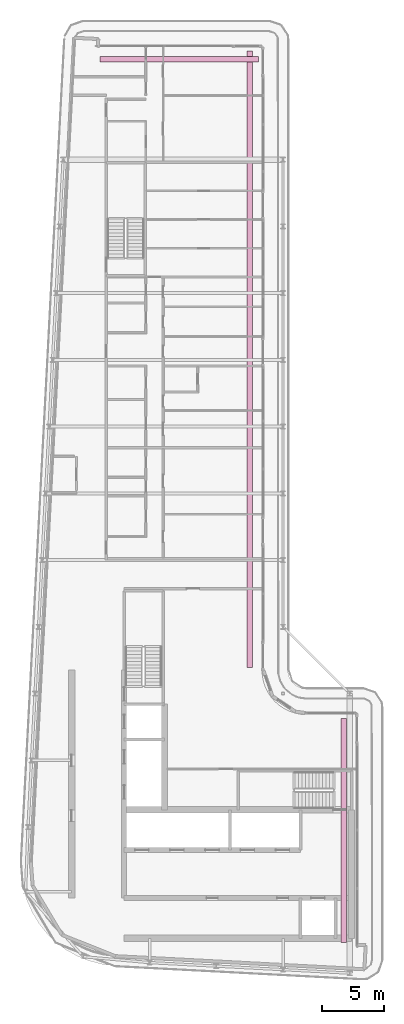
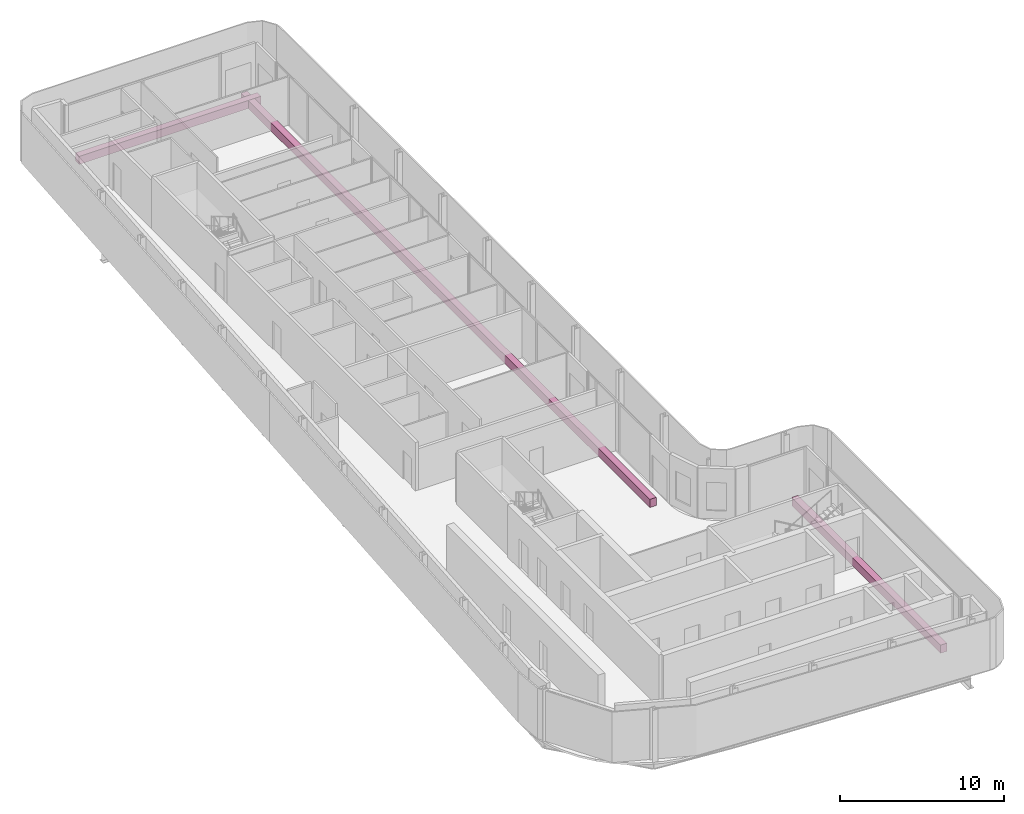
# One storey, part 18 of 18: 3 furniture elements.
"""IFC4 building model written with IfcOpenShell, lengths in metres."""

import ifcopenshell
import ifcopenshell.guid

model = None  # the IFC model being written
_history = None  # IfcOwnerHistory: only IFC2X3 demands one
_inside = {}  # id of a spatial element -> (the spatial element, [elements in it])
_under = {}  # id of a project, library or spatial element -> (it, [spatial elements below it])
_declared = {}  # id of a project -> (the project, [libraries it declares])
_typed = {}  # id of a type object -> (the type object, [elements of that type])
_made_of = {}  # id of a material, layer set ... -> (it, [elements and type objects made of it])


def new_model(schema):
    """Start an empty IFC model of exactly this schema.

    Asked for "IFC4X3", IfcOpenShell would pick the latest addendum, in which some entities
    have other attributes; the version numbers below select the first issue.
    IFC2X3 requires an IfcOwnerHistory on every rooted entity: one is made here for all.
    """
    global model, _history
    if schema == "IFC4X3":
        model = ifcopenshell.file(schema_version=(4, 3, 0, 0))
    else:
        model = ifcopenshell.file(schema=schema)
    _inside.clear()
    _under.clear()
    _declared.clear()
    _typed.clear()
    _made_of.clear()
    _history = None
    if model.schema == "IFC2X3":
        org = make("IfcOrganization", Name="unknown")
        user = make(
            "IfcPersonAndOrganization",
            ThePerson=make("IfcPerson", FamilyName="unknown"),
            TheOrganization=org,
        )
        app = make(
            "IfcApplication",
            ApplicationDeveloper=org,
            Version="unknown",
            ApplicationFullName="unknown",
            ApplicationIdentifier="unknown",
        )
        _history = make(
            "IfcOwnerHistory",
            OwningUser=user,
            OwningApplication=app,
            ChangeAction="ADDED",
            CreationDate=0,
        )
    return model


def make(cls, **values):
    """One entity of the class cls with the attributes given. An attribute that is None is left unset."""
    return model.create_entity(
        cls, **{name: value for name, value in values.items() if value is not None}
    )


def rooted(cls, **values):
    """An entity with a GlobalId (a new one), such as an element, a storey or a relation."""
    return make(cls, GlobalId=ifcopenshell.guid.new(), OwnerHistory=_history, **values)


def si_unit(unit_type, name, prefix=None):
    """IfcSIUnit, for example si_unit("LENGTHUNIT", "METRE", prefix="MILLI")."""
    return make("IfcSIUnit", UnitType=unit_type, Prefix=prefix, Name=name)


def assignment(units):
    """IfcUnitAssignment: the units of a project."""
    return None if units is None else make("IfcUnitAssignment", Units=units)


def point(xyz):
    """IfcCartesianPoint."""
    return None if xyz is None else make("IfcCartesianPoint", Coordinates=xyz)


def direction(xyz):
    """IfcDirection."""
    return None if xyz is None else make("IfcDirection", DirectionRatios=xyz)


def frame(location, z_axis=None, x_axis=None):
    """IfcAxis2Placement3D, a coordinate frame: its origin and axes. An axis left out is left unset."""
    return make(
        "IfcAxis2Placement3D",
        Location=point(location),
        Axis=direction(z_axis),
        RefDirection=direction(x_axis),
    )


def frame_2d(location, x_axis=None):
    """IfcAxis2Placement2D, a coordinate frame in the plane: its origin and x axis."""
    return make(
        "IfcAxis2Placement2D", Location=point(location), RefDirection=direction(x_axis)
    )


def origin():
    """The frame at (0, 0, 0) with its axes left unset."""
    return frame((0.0, 0.0, 0.0))


def origin_2d():
    """The frame at (0, 0) in the plane with its x axis left unset."""
    return frame_2d((0.0, 0.0))


def place(relative_to, where):
    """IfcLocalPlacement: puts the frame where relative to a parent placement (None: the world)."""
    return make(
        "IfcLocalPlacement", PlacementRelTo=relative_to, RelativePlacement=where
    )


def context(
    kind, dimensions, precision=None, world=None, true_north=None, identifier=None
):
    """IfcGeometricRepresentationContext, for example the 3D "Model" context."""
    return make(
        "IfcGeometricRepresentationContext",
        ContextIdentifier=identifier,
        ContextType=kind,
        CoordinateSpaceDimension=dimensions,
        Precision=precision,
        WorldCoordinateSystem=world,
        TrueNorth=true_north,
    )


def subcontext(parent, identifier, kind, view, scale=None):
    """IfcGeometricRepresentationSubContext, for example "Body" below "Model"."""
    return make(
        "IfcGeometricRepresentationSubContext",
        ContextIdentifier=identifier,
        ContextType=kind,
        ParentContext=parent,
        TargetScale=scale,
        TargetView=view,
    )


def project(units=None, contexts=None):
    """IfcProject with its units and contexts."""
    return rooted(
        "IfcProject",
        Name="project",
        RepresentationContexts=contexts,
        UnitsInContext=assignment(units),
    )


def spatial(cls, under=None, at=None, **own):
    """A site, building, storey or space (cls), placed at a placement, below another one or the project."""
    s = rooted(cls, ObjectPlacement=at, **own)
    if under is not None:
        _under.setdefault(under.id(), (under, []))[1].append(s)
    return s


def profile(cls, at=None, kind="AREA", **sizes):
    """A parametric profile (cls). Its sizes go by their IFC names, for example OverallWidth=200.0."""
    return make(cls, ProfileType=kind, Position=at, **sizes)


def rectangle(**sizes):
    """IfcRectangleProfileDef."""
    return profile("IfcRectangleProfileDef", **sizes)


def extrude(swept, where, along, depth):
    """IfcExtrudedAreaSolid: the profile swept, set in the frame where, extruded along a direction by depth."""
    return make(
        "IfcExtrudedAreaSolid",
        SweptArea=swept,
        Position=where,
        ExtrudedDirection=direction(along),
        Depth=depth,
    )


def shape(context_of_items, identifier, shape_type, items):
    """IfcShapeRepresentation: the items that make up one representation, for example the "Body"."""
    return make(
        "IfcShapeRepresentation",
        ContextOfItems=context_of_items,
        RepresentationIdentifier=identifier,
        RepresentationType=shape_type,
        Items=items,
    )


def material(Name=None, Category=None):
    """IfcMaterial."""
    return make("IfcMaterial", Name=Name, Category=Category)


def made_of(thing, what):
    """Note that an element or type object is made of a material, layer set ...; save() writes the relation."""
    if what is not None:
        _made_of.setdefault(what.id(), (what, []))[1].append(thing)
    return thing


def type_object(cls, material=None, **own):
    """A type object (cls), such as IfcWallType, which elements share."""
    return made_of(rooted(cls, **own), material)


def element(
    cls,
    number,
    at=None,
    inside=None,
    cuts=None,
    type_object=None,
    material=None,
    context=None,
    identifier="Body",
    shape_type=None,
    held_by="IfcProductDefinitionShape",
    body=None,
    shapes=None,
    **own,
):
    """One element of the class cls, such as IfcWall. Its Tag is "e" and its number.

    at: its placement. inside: the storey or other place that contains it. cuts: it is an
    opening in that element (IfcRelVoidsElement). A single representation is given by context,
    identifier, shape_type and body (its items); several are given by shapes. held_by: the class
    of the entity that holds the representations. save() writes the other relations.
    """
    e = rooted(cls, Tag="e%d" % number, ObjectPlacement=at, **own)
    if body is not None:
        shapes = [shape(context, identifier, shape_type, body)]
    if shapes is not None:
        e.Representation = make(held_by, Representations=shapes)
    if inside is not None:
        _inside.setdefault(inside.id(), (inside, []))[1].append(e)
    if cuts is not None:
        rooted(
            "IfcRelVoidsElement", RelatingBuildingElement=cuts, RelatedOpeningElement=e
        )
    if type_object is not None:
        _typed.setdefault(type_object.id(), (type_object, []))[1].append(e)
    return made_of(e, material)


def aggregate(whole, parts):
    """IfcRelAggregates: a whole, such as a stair, and the parts it consists of."""
    return rooted("IfcRelAggregates", RelatingObject=whole, RelatedObjects=parts)


def save(model, path):
    """Write the relations noted so far, then the file.

    IfcRelAggregates (storeys below a building ...), IfcRelContainedInSpatialStructure (elements
    in a storey), IfcRelDefinesByType, IfcRelAssociatesMaterial and IfcRelDeclares: one each for
    every whole, place, type object, material and project.
    """
    for whole, parts in _under.values():
        aggregate(whole, parts)
    for where, things in _inside.values():
        rooted(
            "IfcRelContainedInSpatialStructure",
            RelatedElements=things,
            RelatingStructure=where,
        )
    for kind, things in _typed.values():
        rooted("IfcRelDefinesByType", RelatedObjects=things, RelatingType=kind)
    for what, things in _made_of.values():
        rooted("IfcRelAssociatesMaterial", RelatedObjects=things, RelatingMaterial=what)
    for by, libraries in _declared.values():
        rooted("IfcRelDeclares", RelatingContext=by, RelatedDefinitions=libraries)
    model.write(path)


model = new_model("IFC4")

# Units and contexts
model_context = context("Model", 3, precision=1e-05, world=origin(), true_north=direction((0.0, 1.0)))
body_context = subcontext(model_context, "Body", "Model", "MODEL_VIEW")
ifc_project = project(units=[si_unit("LENGTHUNIT", "METRE"), si_unit("AREAUNIT", "SQUARE_METRE"), si_unit("VOLUMEUNIT", "CUBIC_METRE"), si_unit("PLANEANGLEUNIT", "RADIAN"), si_unit("MASSUNIT", "GRAM", prefix="KILO")], contexts=[model_context])

# Site, building, storey
site_placement = place(None, origin())
site = spatial("IfcSite", under=ifc_project, at=site_placement, CompositionType="ELEMENT")
building_placement = place(site_placement, origin())
building = spatial("IfcBuilding", under=site, at=building_placement, Name="Kheshtan School and Residences Tower", CompositionType="ELEMENT")
storey_placement = place(building_placement, frame((0.0, 0.0, 361.699951171875)))
storey = spatial("IfcBuildingStorey", under=building, at=storey_placement, Name="L85", CompositionType="ELEMENT", Elevation=361.699951171875)

# Furniture
ifc_material = material(Name="Precast concrete C30/37 in terracotta finish", Category="masonry")
furniture_type = type_object("IfcFurnitureType", Name="Planter trough", AssemblyPlace="NOTDEFINED", PredefinedType="USERDEFINED", material=ifc_material)
furniture_1_placement = place(storey_placement, frame((39.196044921875, 96.925048828125, 0.0), z_axis=(0.0, 0.0, 1.0), x_axis=(1.0, 0.0, 0.0)))
element("IfcFurniture", 1, at=furniture_1_placement, inside=storey, type_object=furniture_type, Name="Planter L85", ObjectType="PLANTER", PredefinedType="USERDEFINED", context=body_context, shape_type="SweptSolid", body=[
    extrude(rectangle(XDim=12.80810546875, YDim=0.449951171875, at=origin_2d()), origin(), (0.0, 0.0, 1.0), 0.60009765625),
])
furniture_2_placement = place(storey_placement, frame((44.925048828125, 72.6650390625, 0.0), z_axis=(0.0, 0.0, 1.0), x_axis=(0.0, -1.0, 0.0)))
element("IfcFurniture", 2, at=furniture_2_placement, inside=storey, type_object=furniture_type, Name="Planter L85", ObjectType="PLANTER", PredefinedType="USERDEFINED", context=body_context, shape_type="SweptSolid", body=[
    extrude(rectangle(XDim=49.8701171875, YDim=0.449951171875, at=origin_2d()), origin(), (0.0, 0.0, 1.0), 0.60009765625),
])
furniture_3_placement = place(storey_placement, frame((52.52490234375, 34.528076171875, 0.0), z_axis=(0.0, 0.0, 1.0), x_axis=(0.0, -1.0, 0.0)))
element("IfcFurniture", 3, at=furniture_3_placement, inside=storey, type_object=furniture_type, Name="Planter L85", ObjectType="PLANTER", PredefinedType="USERDEFINED", context=body_context, shape_type="SweptSolid", body=[
    extrude(rectangle(XDim=18.14404296875, YDim=0.449951171875, at=origin_2d()), origin(), (0.0, 0.0, 1.0), 0.60009765625),
])

save(model, "model.ifc")
